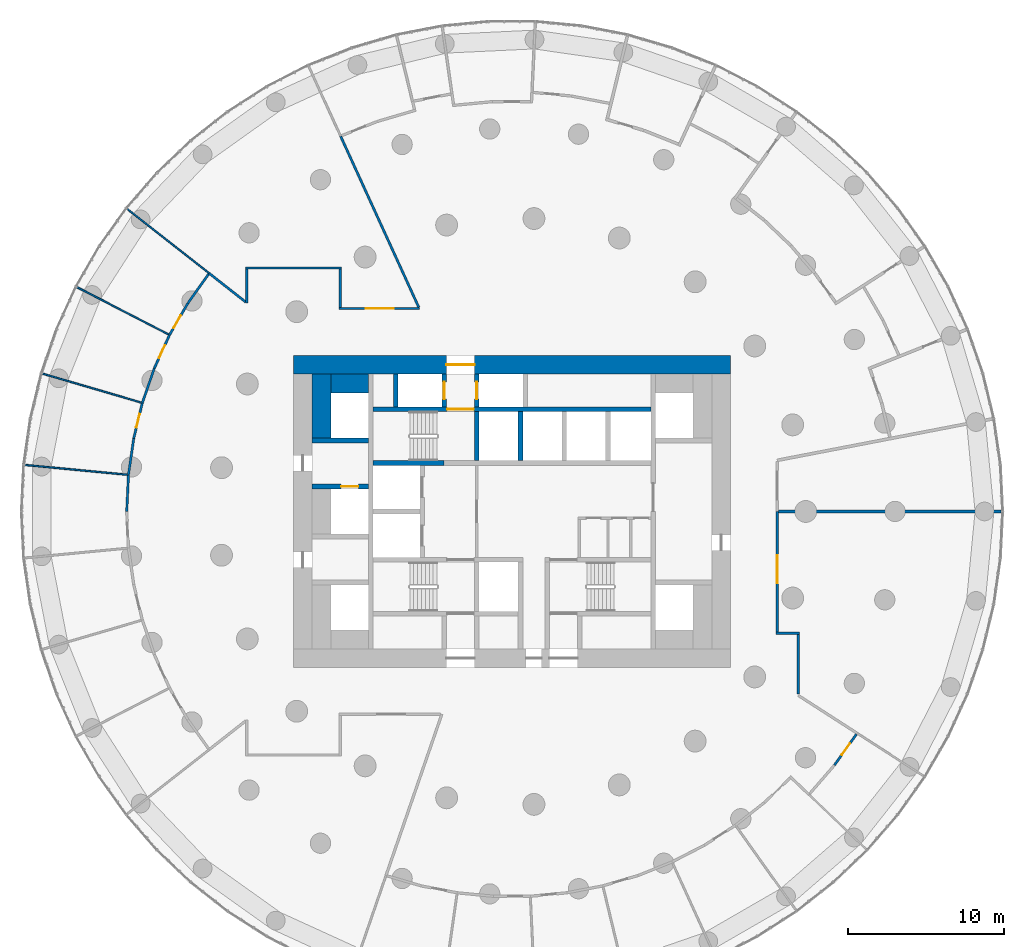
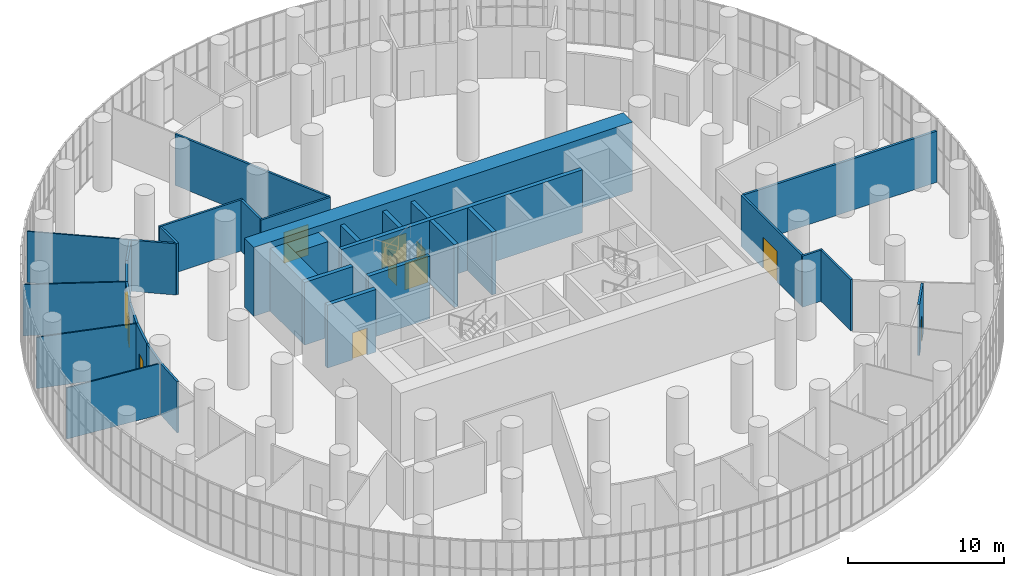
# One storey, part 23 of 27: 34 walls, 11 doors, 11 openings.
"""IFC4 building model written with IfcOpenShell, lengths in metres."""

from ifc_helpers import new_model, si_unit, direction, frame, frame_2d, origin, place, context, subcontext, project, spatial, rectangle, extrude, material, layer, layer_set, type_object, element, fill, save


model = new_model("IFC4")

# Units and contexts
model_context = context("Model", 3, precision=1e-05, world=origin(), true_north=direction((0.0, 1.0)))
body_context = subcontext(model_context, "Body", "Model", "MODEL_VIEW")
ifc_project = project(units=[si_unit("LENGTHUNIT", "METRE"), si_unit("AREAUNIT", "SQUARE_METRE"), si_unit("VOLUMEUNIT", "CUBIC_METRE"), si_unit("PLANEANGLEUNIT", "RADIAN"), si_unit("MASSUNIT", "GRAM", prefix="KILO")], contexts=[model_context])

# Site, building, storey
site_placement = place(None, origin())
site = spatial("IfcSite", under=ifc_project, at=site_placement, CompositionType="ELEMENT")
building_placement = place(site_placement, origin())
building = spatial("IfcBuilding", under=site, at=building_placement, Name="Tracery Tower", CompositionType="ELEMENT")
storey_placement = place(building_placement, frame((0.0, 0.0, 114.60009765625)))
storey = spatial("IfcBuildingStorey", under=building, at=storey_placement, Name="L29", CompositionType="ELEMENT", Elevation=114.60009765625)

# Walls
ifc_material_1 = material(Name="Plasterboard on steel studs", Category="steel")
ifc_layer_1 = layer(ifc_material_1, 0.175048828125)
ifc_layer_set_1 = layer_set([ifc_layer_1], Name="Compartment partition 175")
wall_type_1 = type_object("IfcWallType", Name="Compartment partition 175", PredefinedType="PARTITIONING", material=ifc_layer_set_1)
wall_1_placement = place(storey_placement, frame((31.344482421875, 0.0, 0.0), z_axis=(0.0, 0.0, 1.0), x_axis=(-1.0, 0.0, 0.0)))
element("IfcWall", 1, at=wall_1_placement, inside=storey, type_object=wall_type_1, Name="Compartment partition 175", PredefinedType="PARTITIONING", context=body_context, shape_type="SweptSolid", body=[
    extrude(rectangle(XDim=14.257080078125, YDim=0.175048828125, at=frame_2d((7.12841796875, 0.0))), origin(), (0.0, 0.0, 1.0), 4.0),
])
ifc_material_2 = material(Name="Concrete C60/75", Category="concrete")
ifc_layer_2 = layer(ifc_material_2, 1.199951171875)
ifc_layer_set_2 = layer_set([ifc_layer_2], Name="Core strip wall 1200 C60")
wall_type_2 = type_object("IfcWallType", Name="Core strip wall 1200 C60", PredefinedType="SOLIDWALL", material=ifc_layer_set_2)
wall_2_placement = place(storey_placement, frame((-12.199951171875, 4.699951171875, 0.0), z_axis=(0.0, 0.0, 1.0), x_axis=(0.0, 1.0, 0.0)))
element("IfcWall", 2, at=wall_2_placement, inside=storey, type_object=wall_type_2, Name="L29 wing strip -1 4.55", PredefinedType="SOLIDWALL", context=body_context, shape_type="SweptSolid", body=[
    extrude(rectangle(XDim=4.10009765625, YDim=1.199951171875, at=frame_2d((2.050048828125, 0.0))), origin(), (0.0, 0.0, 1.0), 4.89990234375),
])
wall_3_placement = place(storey_placement, frame((-11.60009765625, 8.199951171875, 0.0), z_axis=(0.0, 0.0, 1.0), x_axis=(1.0, 0.0, 0.0)))
element("IfcWall", 3, at=wall_3_placement, inside=storey, type_object=wall_type_2, Name="L29 wing corner -1 +8.2", PredefinedType="SOLIDWALL", context=body_context, shape_type="SweptSolid", body=[
    extrude(rectangle(XDim=2.400146484375, YDim=1.199951171875, at=frame_2d((1.2001953125, 0.0))), origin(), (0.0, 0.0, 1.0), 4.89990234375),
])

# Wall, opening, door
ifc_material_3 = material(Name="Concrete C60/75", Category="concrete")
ifc_layer_3 = layer(ifc_material_3, 1.199951171875)
ifc_layer_set_3 = layer_set([ifc_layer_3], Name="Core wall 1200 C60")
wall_type_3 = type_object("IfcWallType", Name="Core wall 1200 C60", PredefinedType="SOLIDWALL", material=ifc_layer_set_3)
wall_4_placement = place(storey_placement, frame((-14.0, 9.39990234375, 0.0), z_axis=(0.0, 0.0, 1.0), x_axis=(1.0, 0.0, 0.0)))
wall_4 = element("IfcWall", 4, at=wall_4_placement, inside=storey, type_object=wall_type_3, Name="L29 outer N", PredefinedType="SOLIDWALL", context=body_context, shape_type="SweptSolid", body=[
    extrude(rectangle(XDim=28.0, YDim=1.199951171875, at=frame_2d((14.0, 0.0))), origin(), (0.0, 0.0, 1.0), 5.39990234375),
])
opening_1_placement = place(wall_4_placement, frame((9.800048828125, 0.0, 0.0)))
opening_1 = element("IfcOpeningElement", 5, at=opening_1_placement, cuts=wall_4, Name="Opening KD13", PredefinedType="OPENING", context=body_context, shape_type="SweptSolid", body=[
    extrude(rectangle(XDim=1.800048828125, YDim=2.10009765625, at=frame_2d((0.89990234375, 1.050048828125))), frame((0.0, 0.60009765625, 0.0), z_axis=(0.0, -1.0, 0.0), x_axis=(1.0, 0.0, 0.0)), (0.0, 0.0, 1.0), 1.199951171875),
])
ifc_material_4 = material(Name="Steel fire door", Category="steel")
door_type_1 = type_object("IfcDoorType", Name="Core exit door 1800 double", OperationType="NOTDEFINED", PredefinedType="DOOR", material=ifc_material_4)
door_1_placement = place(opening_1_placement, origin())
door_1 = element("IfcDoor", 6, at=door_1_placement, inside=storey, type_object=door_type_1, Name="Core exit door", OperationType="DOUBLE_DOOR_SINGLE_SWING", OverallHeight=2.10009765625, OverallWidth=1.800048828125, PredefinedType="DOOR", context=body_context, shape_type="SweptSolid", body=[
    extrude(rectangle(XDim=1.800048828125, YDim=2.10009765625, at=frame_2d((0.89990234375, 1.050048828125))), frame((0.0, 0.02490234375, 0.0), z_axis=(0.0, -1.0, 0.0), x_axis=(1.0, 0.0, 0.0)), (0.0, 0.0, 1.0), 0.050048828125),
])
fill(opening_1, door_1)

# Walls
ifc_material_5 = material(Name="Plasterboard on steel studs", Category="steel")
ifc_layer_4 = layer(ifc_material_5, 0.14990234375)
ifc_layer_set_4 = layer_set([ifc_layer_4], Name="Corridor partition 150")
wall_type_4 = type_object("IfcWallType", Name="Corridor partition 150", PredefinedType="PARTITIONING", material=ifc_layer_set_4)
for number, where, z_axis, x_axis, name in (
    (7, (-24.5751953125, 2.3466796875, 0.0), (0.0, 0.0, 1.0), (-0.047594773283, -0.998866726624, 0.0), "Corridor partition 150"),
    (8, (-24.24072265625, 4.672119140625, 0.0), (0.0, 0.0, 1.0), (-0.142366940736, -0.989813949278, 0.0), "Corridor partition 150"),
):
    element("IfcWall", number, at=place(storey_placement, frame(where, z_axis=z_axis, x_axis=x_axis)), inside=storey, type_object=wall_type_4, Name=name, PredefinedType="PARTITIONING", context=body_context, shape_type="SweptSolid", body=[
        extrude(rectangle(XDim=2.349365234375, YDim=0.14990234375, at=frame_2d((1.1748046875, 0.0))), origin(), (0.0, 0.0, 1.0), 4.0),
    ])

# Wall, opening, door
wall_5_placement = place(storey_placement, frame((-24.24072265625, 4.672119140625, 0.0), z_axis=(0.0, 0.0, 1.0), x_axis=(0.235707106262, 0.9718241405, 0.0)))
wall_5 = element("IfcWall", 9, at=wall_5_placement, inside=storey, type_object=wall_type_4, Name="Corridor partition 150", PredefinedType="PARTITIONING", context=body_context, shape_type="SweptSolid", body=[
    extrude(rectangle(XDim=2.34912109375, YDim=0.14990234375, at=frame_2d((1.174560546875, 0.0))), origin(), (0.0, 0.0, 1.0), 4.0),
])
opening_2_placement = place(wall_5_placement, frame((0.724609375, 0.0, 0.0)))
opening_2 = element("IfcOpeningElement", 10, at=opening_2_placement, cuts=wall_5, Name="Opening SB-L29-18", PredefinedType="OPENING", context=body_context, shape_type="SweptSolid", body=[
    extrude(rectangle(XDim=0.89990234375, YDim=2.10009765625, at=frame_2d((0.449951171875, 1.050048828125))), frame((0.0, 0.074951171875, 0.0), z_axis=(0.0, -1.0, 0.0), x_axis=(1.0, 0.0, 0.0)), (0.0, 0.0, 1.0), 0.14990234375),
])
ifc_material_6 = material(Name="Timber door leaf", Category="wood")
door_type_2 = type_object("IfcDoorType", Name="Room door 900", OperationType="NOTDEFINED", PredefinedType="DOOR", material=ifc_material_6)
door_2_placement = place(opening_2_placement, origin())
door_2 = element("IfcDoor", 11, at=door_2_placement, inside=storey, type_object=door_type_2, Name="Room door 900", OperationType="SINGLE_SWING_RIGHT", OverallHeight=2.10009765625, OverallWidth=0.89990234375, PredefinedType="DOOR", context=body_context, shape_type="SweptSolid", body=[
    extrude(rectangle(XDim=0.89990234375, YDim=2.10009765625, at=frame_2d((0.449951171875, 1.050048828125))), frame((0.0, 0.02490234375, 0.0), z_axis=(0.0, -1.0, 0.0), x_axis=(1.0, 0.0, 0.0)), (0.0, 0.0, 1.0), 0.050048828125),
])
fill(opening_2, door_2)

# Wall
wall_6_placement = place(storey_placement, frame((-22.91845703125, 9.17529296875, 0.0), z_axis=(0.0, 0.0, 1.0), x_axis=(-0.327117701878, -0.944983602566, 0.0)))
element("IfcWall", 12, at=wall_6_placement, inside=storey, type_object=wall_type_4, Name="Corridor partition 150", PredefinedType="PARTITIONING", context=body_context, shape_type="SweptSolid", body=[
    extrude(rectangle(XDim=2.349365234375, YDim=0.14990234375, at=frame_2d((1.1748046875, 0.0))), origin(), (0.0, 0.0, 1.0), 4.0),
])

# Wall, opening, door
wall_7_placement = place(storey_placement, frame((-22.91845703125, 9.17529296875, 0.0), z_axis=(0.0, 0.0, 1.0), x_axis=(0.415383956613, 0.909646177691, 0.0)))
wall_7 = element("IfcWall", 13, at=wall_7_placement, inside=storey, type_object=wall_type_4, Name="Corridor partition 150", PredefinedType="PARTITIONING", context=body_context, shape_type="SweptSolid", body=[
    extrude(rectangle(XDim=2.34912109375, YDim=0.14990234375, at=frame_2d((1.174560546875, 0.0))), origin(), (0.0, 0.0, 1.0), 4.0),
])
opening_3_placement = place(wall_7_placement, frame((0.724609375, 0.0, 0.0)))
opening_3 = element("IfcOpeningElement", 14, at=opening_3_placement, cuts=wall_7, Name="Opening SB-L29-17", PredefinedType="OPENING", context=body_context, shape_type="SweptSolid", body=[
    extrude(rectangle(XDim=0.89990234375, YDim=2.10009765625, at=frame_2d((0.449951171875, 1.050048828125))), frame((0.0, 0.074951171875, 0.0), z_axis=(0.0, -1.0, 0.0), x_axis=(1.0, 0.0, 0.0)), (0.0, 0.0, 1.0), 0.14990234375),
])
door_3_placement = place(opening_3_placement, origin())
door_3 = element("IfcDoor", 15, at=door_3_placement, inside=storey, type_object=door_type_2, Name="Room door 900", OperationType="SINGLE_SWING_RIGHT", OverallHeight=2.10009765625, OverallWidth=0.89990234375, PredefinedType="DOOR", context=body_context, shape_type="SweptSolid", body=[
    extrude(rectangle(XDim=0.89990234375, YDim=2.10009765625, at=frame_2d((0.449951171875, 1.050048828125))), frame((0.0, 0.02490234375, 0.0), z_axis=(0.0, -1.0, 0.0), x_axis=(1.0, 0.0, 0.0)), (0.0, 0.0, 1.0), 0.050048828125),
])
fill(opening_3, door_3)

wall_8_placement = place(storey_placement, frame((-21.942626953125, 11.312255859375, 0.0), z_axis=(0.0, 0.0, 1.0), x_axis=(0.500073279432, 0.865983091751, 0.0)))
wall_8 = element("IfcWall", 16, at=wall_8_placement, inside=storey, type_object=wall_type_4, Name="Corridor partition 150", PredefinedType="PARTITIONING", context=body_context, shape_type="SweptSolid", body=[
    extrude(rectangle(XDim=2.349365234375, YDim=0.14990234375, at=frame_2d((1.1748046875, 0.0))), origin(), (0.0, 0.0, 1.0), 4.0),
])
opening_4_placement = place(wall_8_placement, frame((0.524658203125, 0.0, 0.0)))
opening_4 = element("IfcOpeningElement", 17, at=opening_4_placement, cuts=wall_8, Name="Opening SB-L29-16", PredefinedType="OPENING", context=body_context, shape_type="SweptSolid", body=[
    extrude(rectangle(XDim=0.89990234375, YDim=2.10009765625, at=frame_2d((0.449951171875, 1.050048828125))), frame((0.0, 0.074951171875, 0.0), z_axis=(0.0, -1.0, 0.0), x_axis=(1.0, 0.0, 0.0)), (0.0, 0.0, 1.0), 0.14990234375),
])
door_4_placement = place(opening_4_placement, origin())
door_4 = element("IfcDoor", 18, at=door_4_placement, inside=storey, type_object=door_type_2, Name="Room door 900", OperationType="SINGLE_SWING_RIGHT", OverallHeight=2.10009765625, OverallWidth=0.89990234375, PredefinedType="DOOR", context=body_context, shape_type="SweptSolid", body=[
    extrude(rectangle(XDim=0.89990234375, YDim=2.10009765625, at=frame_2d((0.449951171875, 1.050048828125))), frame((0.0, 0.02490234375, 0.0), z_axis=(0.0, -1.0, 0.0), x_axis=(1.0, 0.0, 0.0)), (0.0, 0.0, 1.0), 0.050048828125),
])
fill(opening_4, door_4)

# Walls
wall_9_placement = place(storey_placement, frame((-19.44873046875, 15.19921875, 0.0), z_axis=(0.0, 0.0, 1.0), x_axis=(-0.580029104411, -0.8145957513, 0.0)))
element("IfcWall", 19, at=wall_9_placement, inside=storey, type_object=wall_type_4, Name="Corridor partition 150", PredefinedType="PARTITIONING", context=body_context, shape_type="SweptSolid", body=[
    extrude(rectangle(XDim=2.274169921875, YDim=0.14990234375, at=frame_2d((1.13720703125, 0.0))), origin(), (0.0, 0.0, 1.0), 4.0),
])
wall_10_placement = place(storey_placement, frame((-19.4052734375, 15.260498046875, 0.0), z_axis=(0.0, 0.0, 1.0), x_axis=(0.78606393764, -0.618145198106, 0.0)))
element("IfcWall", 20, at=wall_10_placement, inside=storey, type_object=wall_type_4, Name="Corridor partition 150", PredefinedType="PARTITIONING", context=body_context, shape_type="SweptSolid", body=[
    extrude(rectangle(XDim=2.964599609375, YDim=0.14990234375, at=frame_2d((1.482421875, 0.0))), origin(), (0.0, 0.0, 1.0), 4.0),
])
wall_11_placement = place(storey_placement, frame((-17.0, 15.52734375, 0.0), z_axis=(0.0, 0.0, 1.0), x_axis=(0.0, -1.0, 0.0)))
element("IfcWall", 21, at=wall_11_placement, inside=storey, type_object=wall_type_4, Name="Corridor partition 150", PredefinedType="PARTITIONING", context=body_context, shape_type="SweptSolid", body=[
    extrude(rectangle(XDim=2.158447265625, YDim=0.14990234375, at=frame_2d((1.0791015625, 0.0))), origin(), (0.0, 0.0, 1.0), 4.0),
])
wall_12_placement = place(storey_placement, frame((-10.99755859375, 13.074951171875, 0.0), z_axis=(0.0, 0.0, 1.0), x_axis=(0.0, 1.0, 0.0)))
element("IfcWall", 22, at=wall_12_placement, inside=storey, type_object=wall_type_4, Name="Corridor partition 150", PredefinedType="PARTITIONING", context=body_context, shape_type="SweptSolid", body=[
    extrude(rectangle(XDim=2.452392578125, YDim=0.14990234375, at=frame_2d((1.22607421875, 0.0))), origin(), (0.0, 0.0, 1.0), 4.0),
])
wall_13_placement = place(storey_placement, frame((-10.922607421875, 15.602294921875, 0.0), z_axis=(0.0, 0.0, 1.0), x_axis=(-1.0, 0.0, 0.0)))
element("IfcWall", 23, at=wall_13_placement, inside=storey, type_object=wall_type_4, Name="Corridor partition 150", PredefinedType="PARTITIONING", context=body_context, shape_type="SweptSolid", body=[
    extrude(rectangle(XDim=6.15234375, YDim=0.14990234375, at=frame_2d((3.076171875, 0.0))), origin(), (0.0, 0.0, 1.0), 4.0),
])
wall_14_placement = place(storey_placement, frame((-10.983154296875, 24.049560546875, 0.0), z_axis=(0.0, 0.0, 1.0), x_axis=(0.415416845748, -0.909631158365, 0.0)))
element("IfcWall", 24, at=wall_14_placement, inside=storey, type_object=wall_type_4, Name="Corridor partition 150", PredefinedType="PARTITIONING", context=body_context, shape_type="SweptSolid", body=[
    extrude(rectangle(XDim=12.06494140625, YDim=0.14990234375, at=frame_2d((6.032470703125, 0.0))), origin(), (0.0, 0.0, 1.0), 4.0),
])

# Wall, opening, door
wall_15_placement = place(storey_placement, frame((-11.072509765625, 13.0, 0.0), z_axis=(0.0, 0.0, 1.0), x_axis=(1.0, 0.0, 0.0)))
wall_15 = element("IfcWall", 25, at=wall_15_placement, inside=storey, type_object=wall_type_4, Name="Corridor partition 150", PredefinedType="PARTITIONING", context=body_context, shape_type="SweptSolid", body=[
    extrude(rectangle(XDim=5.135498046875, YDim=0.14990234375, at=frame_2d((2.56787109375, 0.0))), origin(), (0.0, 0.0, 1.0), 4.0),
])
opening_5_placement = place(wall_15_placement, frame((1.705322265625, 0.0, 0.0)))
opening_5 = element("IfcOpeningElement", 26, at=opening_5_placement, cuts=wall_15, Name="Opening SB-L29-15", PredefinedType="OPENING", context=body_context, shape_type="SweptSolid", body=[
    extrude(rectangle(XDim=1.800048828125, YDim=2.39990234375, at=frame_2d((0.89990234375, 1.199951171875))), frame((0.0, 0.074951171875, 0.0), z_axis=(0.0, -1.0, 0.0), x_axis=(1.0, 0.0, 0.0)), (0.0, 0.0, 1.0), 0.14990234375),
])
ifc_material_7 = material(Name="Glazed aluminium door", Category="aluminium")
door_type_3 = type_object("IfcDoorType", Name="Hall double door 1800", OperationType="DOUBLE_DOOR_SINGLE_SWING", PredefinedType="DOOR", material=ifc_material_7)
door_5_placement = place(opening_5_placement, origin())
door_5 = element("IfcDoor", 27, at=door_5_placement, inside=storey, type_object=door_type_3, Name="Hall double door 1800", OperationType="DOUBLE_DOOR_SINGLE_SWING", OverallHeight=2.39990234375, OverallWidth=1.800048828125, PredefinedType="DOOR", context=body_context, shape_type="SweptSolid", body=[
    extrude(rectangle(XDim=1.800048828125, YDim=2.39990234375, at=frame_2d((0.89990234375, 1.199951171875))), frame((0.0, 0.02490234375, 0.0), z_axis=(0.0, -1.0, 0.0), x_axis=(1.0, 0.0, 0.0)), (0.0, 0.0, 1.0), 0.050048828125),
])
fill(opening_5, door_5)

wall_16_placement = place(storey_placement, frame((17.0, 0.0, 0.0), z_axis=(0.0, 0.0, 1.0), x_axis=(0.0, -1.0, 0.0)))
wall_16 = element("IfcWall", 28, at=wall_16_placement, inside=storey, type_object=wall_type_4, Name="Corridor partition 150", PredefinedType="PARTITIONING", context=body_context, shape_type="SweptSolid", body=[
    extrude(rectangle(XDim=7.727783203125, YDim=0.14990234375, at=frame_2d((3.86376953125, 0.0))), origin(), (0.0, 0.0, 1.0), 4.0),
])
opening_6_placement = place(wall_16_placement, frame((2.801513671875, 0.0, 0.0)))
opening_6 = element("IfcOpeningElement", 29, at=opening_6_placement, cuts=wall_16, Name="Opening SB-L29-31", PredefinedType="OPENING", context=body_context, shape_type="SweptSolid", body=[
    extrude(rectangle(XDim=1.800048828125, YDim=2.39990234375, at=frame_2d((0.89990234375, 1.199951171875))), frame((0.0, 0.074951171875, 0.0), z_axis=(0.0, -1.0, 0.0), x_axis=(1.0, 0.0, 0.0)), (0.0, 0.0, 1.0), 0.14990234375),
])
door_6_placement = place(opening_6_placement, origin())
door_6 = element("IfcDoor", 30, at=door_6_placement, inside=storey, type_object=door_type_3, Name="Hall double door 1800", OperationType="DOUBLE_DOOR_SINGLE_SWING", OverallHeight=2.39990234375, OverallWidth=1.800048828125, PredefinedType="DOOR", context=body_context, shape_type="SweptSolid", body=[
    extrude(rectangle(XDim=1.800048828125, YDim=2.39990234375, at=frame_2d((0.89990234375, 1.199951171875))), frame((0.0, 0.02490234375, 0.0), z_axis=(0.0, -1.0, 0.0), x_axis=(1.0, 0.0, 0.0)), (0.0, 0.0, 1.0), 0.050048828125),
])
fill(opening_6, door_6)

# Walls
wall_17_placement = place(storey_placement, frame((18.3515625, -11.70458984375, 0.0), z_axis=(0.0, 0.0, 1.0), x_axis=(0.0, 1.0, 0.0)))
element("IfcWall", 31, at=wall_17_placement, inside=storey, type_object=wall_type_4, Name="Corridor partition 150", PredefinedType="PARTITIONING", context=body_context, shape_type="SweptSolid", body=[
    extrude(rectangle(XDim=3.82666015625, YDim=0.14990234375, at=frame_2d((1.913330078125, 0.0))), origin(), (0.0, 0.0, 1.0), 4.0),
])
wall_18_placement = place(storey_placement, frame((18.426513671875, -7.802978515625, 0.0), z_axis=(0.0, 0.0, 1.0), x_axis=(-1.0, 0.0, 0.0)))
element("IfcWall", 32, at=wall_18_placement, inside=storey, type_object=wall_type_4, Name="Corridor partition 150", PredefinedType="PARTITIONING", context=body_context, shape_type="SweptSolid", body=[
    extrude(rectangle(XDim=1.50146484375, YDim=0.14990234375, at=frame_2d((0.750732421875, 0.0))), origin(), (0.0, 0.0, 1.0), 4.0),
])

# Wall, opening, door
wall_19_placement = place(storey_placement, frame((22.07177734375, -14.27392578125, 0.0), z_axis=(0.0, 0.0, 1.0), x_axis=(-0.580047863214, -0.814582393856, 0.0)))
wall_19 = element("IfcWall", 33, at=wall_19_placement, inside=storey, type_object=wall_type_4, Name="Corridor partition 150", PredefinedType="PARTITIONING", context=body_context, shape_type="SweptSolid", body=[
    extrude(rectangle(XDim=2.426513671875, YDim=0.14990234375, at=frame_2d((1.21337890625, 0.0))), origin(), (0.0, 0.0, 1.0), 4.0),
])
opening_7_placement = place(wall_19_placement, frame((0.7255859375, 0.0, 0.0)))
opening_7 = element("IfcOpeningElement", 34, at=opening_7_placement, cuts=wall_19, Name="Opening SB-L29-30", PredefinedType="OPENING", context=body_context, shape_type="SweptSolid", body=[
    extrude(rectangle(XDim=0.89990234375, YDim=2.10009765625, at=frame_2d((0.449951171875, 1.050048828125))), frame((0.0, 0.074951171875, 0.0), z_axis=(0.0, -1.0, 0.0), x_axis=(1.0, 0.0, 0.0)), (0.0, 0.0, 1.0), 0.14990234375),
])
ifc_material_8 = material(Name="Steel fire door", Category="steel")
door_type_4 = type_object("IfcDoorType", Name="Store door 900", OperationType="NOTDEFINED", PredefinedType="DOOR", material=ifc_material_8)
door_7_placement = place(opening_7_placement, origin())
door_7 = element("IfcDoor", 35, at=door_7_placement, inside=storey, type_object=door_type_4, Name="Store door 900", OperationType="SINGLE_SWING_RIGHT", OverallHeight=2.10009765625, OverallWidth=0.89990234375, PredefinedType="DOOR", context=body_context, shape_type="SweptSolid", body=[
    extrude(rectangle(XDim=0.89990234375, YDim=2.10009765625, at=frame_2d((0.449951171875, 1.050048828125))), frame((0.0, 0.02490234375, 0.0), z_axis=(0.0, -1.0, 0.0), x_axis=(1.0, 0.0, 0.0)), (0.0, 0.0, 1.0), 0.050048828125),
])
fill(opening_7, door_7)

# Walls
ifc_material_9 = material(Name="Concrete C60/75", Category="concrete")
ifc_layer_5 = layer(ifc_material_9, 0.300048828125)
ifc_layer_set_5 = layer_set([ifc_layer_5], Name="Shaft wall 300 C60")
wall_type_5 = type_object("IfcWallType", Name="Shaft wall 300 C60", PredefinedType="SOLIDWALL", material=ifc_layer_set_5)
wall_20_placement = place(storey_placement, frame((0.550048828125, 3.25, 0.0), z_axis=(0.0, 0.0, 1.0), x_axis=(0.0, 1.0, 0.0)))
element("IfcWall", 36, at=wall_20_placement, inside=storey, type_object=wall_type_5, Name="L29 HR sep 1", PredefinedType="SOLIDWALL", context=body_context, shape_type="SweptSolid", body=[
    extrude(rectangle(XDim=3.14990234375, YDim=0.300048828125, at=frame_2d((1.574951171875, 0.0))), origin(), (0.0, 0.0, 1.0), 4.89990234375),
])
wall_21_placement = place(storey_placement, frame((-7.449951171875, 6.699951171875, 0.0), z_axis=(0.0, 0.0, 1.0), x_axis=(0.0, 1.0, 0.0)))
element("IfcWall", 37, at=wall_21_placement, inside=storey, type_object=wall_type_5, Name="L29 LR sep -7.45", PredefinedType="SOLIDWALL", context=body_context, shape_type="SweptSolid", body=[
    extrude(rectangle(XDim=2.10009765625, YDim=0.300048828125, at=frame_2d((1.050048828125, 0.0))), origin(), (0.0, 0.0, 1.0), 4.89990234375),
])

# Wall, opening, door
wall_22_placement = place(storey_placement, frame((-4.35009765625, 6.699951171875, 0.0), z_axis=(0.0, 0.0, 1.0), x_axis=(0.0, 1.0, 0.0)))
wall_22 = element("IfcWall", 38, at=wall_22_placement, inside=storey, type_object=wall_type_5, Name="L29 LR sep -4.35", PredefinedType="SOLIDWALL", context=body_context, shape_type="SweptSolid", body=[
    extrude(rectangle(XDim=2.10009765625, YDim=0.300048828125, at=frame_2d((1.050048828125, 0.0))), origin(), (0.0, 0.0, 1.0), 4.89990234375),
])
opening_8_placement = place(wall_22_placement, frame((0.5, 0.0, 0.0)))
opening_8 = element("IfcOpeningElement", 39, at=opening_8_placement, cuts=wall_22, Name="Opening KD50", PredefinedType="OPENING", context=body_context, shape_type="SweptSolid", body=[
    extrude(rectangle(XDim=1.10009765625, YDim=2.10009765625, at=frame_2d((0.550048828125, 1.050048828125))), frame((0.0, 0.14990234375, 0.0), z_axis=(0.0, -1.0, 0.0), x_axis=(1.0, 0.0, 0.0)), (0.0, 0.0, 1.0), 0.300048828125),
])
ifc_material_10 = material(Name="Steel fire door", Category="steel")
door_type_5 = type_object("IfcDoorType", Name="Landing door 1100", OperationType="NOTDEFINED", PredefinedType="DOOR", material=ifc_material_10)
door_8_placement = place(opening_8_placement, origin())
door_8 = element("IfcDoor", 40, at=door_8_placement, inside=storey, type_object=door_type_5, Name="Landing door LR3", OperationType="SLIDING_TO_RIGHT", OverallHeight=2.10009765625, OverallWidth=1.10009765625, PredefinedType="DOOR", context=body_context, shape_type="SweptSolid", body=[
    extrude(rectangle(XDim=1.10009765625, YDim=2.10009765625, at=frame_2d((0.550048828125, 1.050048828125))), frame((0.0, 0.02490234375, 0.0), z_axis=(0.0, -1.0, 0.0), x_axis=(1.0, 0.0, 0.0)), (0.0, 0.0, 1.0), 0.050048828125),
])
fill(opening_8, door_8)

# Wall
wall_23_placement = place(storey_placement, frame((-12.800048828125, 4.550048828125, 0.0), z_axis=(0.0, 0.0, 1.0), x_axis=(1.0, 0.0, 0.0)))
element("IfcWall", 41, at=wall_23_placement, inside=storey, type_object=wall_type_5, Name="L29 wing shaft wall -1 +4.55", PredefinedType="SOLIDWALL", context=body_context, shape_type="SweptSolid", body=[
    extrude(rectangle(XDim=3.60009765625, YDim=0.300048828125, at=frame_2d((1.800048828125, 0.0))), origin(), (0.0, 0.0, 1.0), 4.89990234375),
])

# Wall, opening, door
wall_24_placement = place(storey_placement, frame((-12.800048828125, 1.60009765625, 0.0), z_axis=(0.0, 0.0, 1.0), x_axis=(1.0, 0.0, 0.0)))
wall_24 = element("IfcWall", 42, at=wall_24_placement, inside=storey, type_object=wall_type_5, Name="L29 wing shaft wall -1 +1.60", PredefinedType="SOLIDWALL", context=body_context, shape_type="SweptSolid", body=[
    extrude(rectangle(XDim=3.60009765625, YDim=0.300048828125, at=frame_2d((1.800048828125, 0.0))), origin(), (0.0, 0.0, 1.0), 4.89990234375),
])
opening_9_placement = place(wall_24_placement, frame((1.85009765625, 0.0, 0.0)))
opening_9 = element("IfcOpeningElement", 43, at=opening_9_placement, cuts=wall_24, Name="Opening KD50", PredefinedType="OPENING", context=body_context, shape_type="SweptSolid", body=[
    extrude(rectangle(XDim=1.10009765625, YDim=2.10009765625, at=frame_2d((0.550048828125, 1.050048828125))), frame((0.0, 0.14990234375, 0.0), z_axis=(0.0, -1.0, 0.0), x_axis=(1.0, 0.0, 0.0)), (0.0, 0.0, 1.0), 0.300048828125),
])
door_9_placement = place(opening_9_placement, origin())
door_9 = element("IfcDoor", 44, at=door_9_placement, inside=storey, type_object=door_type_5, Name="Landing door LR1", OperationType="SLIDING_TO_RIGHT", OverallHeight=2.10009765625, OverallWidth=1.10009765625, PredefinedType="DOOR", context=body_context, shape_type="SweptSolid", body=[
    extrude(rectangle(XDim=1.10009765625, YDim=2.10009765625, at=frame_2d((0.550048828125, 1.050048828125))), frame((0.0, 0.02490234375, 0.0), z_axis=(0.0, -1.0, 0.0), x_axis=(1.0, 0.0, 0.0)), (0.0, 0.0, 1.0), 0.050048828125),
])
fill(opening_9, door_9)

# Walls
ifc_material_11 = material(Name="Concrete C60/75", Category="concrete")
ifc_layer_6 = layer(ifc_material_11, 0.300048828125)
ifc_layer_set_6 = layer_set([ifc_layer_6], Name="Stair wall 300 C60")
wall_type_6 = type_object("IfcWallType", Name="Stair wall 300 C60", PredefinedType="SOLIDWALL", material=ifc_layer_set_6)
wall_25_placement = place(storey_placement, frame((-8.89990234375, 3.10009765625, 0.0), z_axis=(0.0, 0.0, 1.0), x_axis=(1.0, 0.0, 0.0)))
element("IfcWall", 45, at=wall_25_placement, inside=storey, type_object=wall_type_6, Name="L29 row N W", PredefinedType="SOLIDWALL", context=body_context, shape_type="SweptSolid", body=[
    extrude(rectangle(XDim=4.5498046875, YDim=0.300048828125, at=frame_2d((2.27490234375, 0.0))), origin(), (0.0, 0.0, 1.0), 4.89990234375),
])
wall_26_placement = place(storey_placement, frame((-2.25, 3.25, 0.0), z_axis=(0.0, 0.0, 1.0), x_axis=(0.0, 1.0, 0.0)))
element("IfcWall", 46, at=wall_26_placement, inside=storey, type_object=wall_type_6, Name="L29 ST3 E", PredefinedType="SOLIDWALL", context=body_context, shape_type="SweptSolid", body=[
    extrude(rectangle(XDim=3.14990234375, YDim=0.300048828125, at=frame_2d((1.574951171875, 0.0))), origin(), (0.0, 0.0, 1.0), 4.89990234375),
])

# Wall, opening, door
wall_27_placement = place(storey_placement, frame((-8.89990234375, 6.550048828125, 0.0), z_axis=(0.0, 0.0, 1.0), x_axis=(1.0, 0.0, 0.0)))
wall_27 = element("IfcWall", 47, at=wall_27_placement, inside=storey, type_object=wall_type_6, Name="L29 F N", PredefinedType="SOLIDWALL", context=body_context, shape_type="SweptSolid", body=[
    extrude(rectangle(XDim=17.7998046875, YDim=0.300048828125, at=frame_2d((8.89990234375, 0.0))), origin(), (0.0, 0.0, 1.0), 4.89990234375),
])
opening_10_placement = place(wall_27_placement, frame((4.75, 0.0, 0.0)))
opening_10 = element("IfcOpeningElement", 48, at=opening_10_placement, cuts=wall_27, Name="Opening KD3", PredefinedType="OPENING", context=body_context, shape_type="SweptSolid", body=[
    extrude(rectangle(XDim=1.699951171875, YDim=2.10009765625, at=frame_2d((0.85009765625, 1.050048828125))), frame((0.0, 0.14990234375, 0.0), z_axis=(0.0, -1.0, 0.0), x_axis=(1.0, 0.0, 0.0)), (0.0, 0.0, 1.0), 0.300048828125),
])
ifc_material_12 = material(Name="Steel fire door", Category="steel")
door_type_6 = type_object("IfcDoorType", Name="Core stair door 1700 double", OperationType="NOTDEFINED", PredefinedType="DOOR", material=ifc_material_12)
door_10_placement = place(opening_10_placement, origin())
door_10 = element("IfcDoor", 49, at=door_10_placement, inside=storey, type_object=door_type_6, Name="Stair door ST3 N", OperationType="DOUBLE_DOOR_SINGLE_SWING", OverallHeight=2.10009765625, OverallWidth=1.699951171875, PredefinedType="DOOR", context=body_context, shape_type="SweptSolid", body=[
    extrude(rectangle(XDim=1.699951171875, YDim=2.10009765625, at=frame_2d((0.85009765625, 1.050048828125))), frame((0.0, 0.02490234375, 0.0), z_axis=(0.0, -1.0, 0.0), x_axis=(1.0, 0.0, 0.0)), (0.0, 0.0, 1.0), 0.050048828125),
])
fill(opening_10, door_10)

wall_28_placement = place(storey_placement, frame((-2.25, 6.699951171875, 0.0), z_axis=(0.0, 0.0, 1.0), x_axis=(0.0, 1.0, 0.0)))
wall_28 = element("IfcWall", 50, at=wall_28_placement, inside=storey, type_object=wall_type_6, Name="L29 ST3 E out", PredefinedType="SOLIDWALL", context=body_context, shape_type="SweptSolid", body=[
    extrude(rectangle(XDim=2.10009765625, YDim=0.300048828125, at=frame_2d((1.050048828125, 0.0))), origin(), (0.0, 0.0, 1.0), 4.89990234375),
])
opening_11_placement = place(wall_28_placement, frame((0.5, 0.0, 0.0)))
opening_11 = element("IfcOpeningElement", 51, at=opening_11_placement, cuts=wall_28, Name="Opening KD49", PredefinedType="OPENING", context=body_context, shape_type="SweptSolid", body=[
    extrude(rectangle(XDim=1.10009765625, YDim=2.10009765625, at=frame_2d((0.550048828125, 1.050048828125))), frame((0.0, 0.14990234375, 0.0), z_axis=(0.0, -1.0, 0.0), x_axis=(1.0, 0.0, 0.0)), (0.0, 0.0, 1.0), 0.300048828125),
])
door_11_placement = place(opening_11_placement, origin())
door_11 = element("IfcDoor", 52, at=door_11_placement, inside=storey, type_object=door_type_5, Name="Landing door LR2", OperationType="SLIDING_TO_LEFT", OverallHeight=2.10009765625, OverallWidth=1.10009765625, PredefinedType="DOOR", context=body_context, shape_type="SweptSolid", body=[
    extrude(rectangle(XDim=1.10009765625, YDim=2.10009765625, at=frame_2d((0.550048828125, 1.050048828125))), frame((0.0, 0.02490234375, 0.0), z_axis=(0.0, -1.0, 0.0), x_axis=(1.0, 0.0, 0.0)), (0.0, 0.0, 1.0), 0.050048828125),
])
fill(opening_11, door_11)

# Walls
ifc_material_13 = material(Name="Plasterboard on steel studs", Category="steel")
ifc_layer_7 = layer(ifc_material_13, 0.10009765625)
ifc_layer_set_7 = layer_set([ifc_layer_7], Name="Stud partition 100")
wall_type_7 = type_object("IfcWallType", Name="Stud partition 100", PredefinedType="PARTITIONING", material=ifc_layer_set_7)
wall_29_placement = place(storey_placement, frame((-31.202392578125, 2.9794921875, 0.0), z_axis=(0.0, 0.0, 1.0), x_axis=(0.99547126892, -0.095062888418, 0.0)))
element("IfcWall", 53, at=wall_29_placement, inside=storey, type_object=wall_type_7, Name="Stud partition 100", PredefinedType="PARTITIONING", context=body_context, shape_type="SweptSolid", body=[
    extrude(rectangle(XDim=6.582275390625, YDim=0.10009765625, at=frame_2d((3.291015625, 0.0))), origin(), (0.0, 0.0, 1.0), 4.0),
])
for number, where, z_axis, x_axis, name in (
    (54, (-30.07470703125, 8.830810546875, 0.0), (0.0, 0.0, 1.0), (0.959494150373, -0.281728549139, 0.0), "Stud partition 100"),
    (55, (-27.860107421875, 14.36279296875, 0.0), (0.0, 0.0, 1.0), (0.88884777779, -0.458202605751, 0.0), "Stud partition 100"),
):
    element("IfcWall", number, at=place(storey_placement, frame(where, z_axis=z_axis, x_axis=x_axis)), inside=storey, type_object=wall_type_7, Name=name, PredefinedType="PARTITIONING", context=body_context, shape_type="SweptSolid", body=[
        extrude(rectangle(XDim=6.58251953125, YDim=0.10009765625, at=frame_2d((3.291259765625, 0.0))), origin(), (0.0, 0.0, 1.0), 4.0),
    ])
wall_30_placement = place(storey_placement, frame((-24.638427734375, 19.375732421875, 0.0), z_axis=(0.0, 0.0, 1.0), x_axis=(0.786065039075, -0.618143797464, 0.0)))
element("IfcWall", 56, at=wall_30_placement, inside=storey, type_object=wall_type_7, Name="Stud partition 100", PredefinedType="PARTITIONING", context=body_context, shape_type="SweptSolid", body=[
    extrude(rectangle(XDim=6.657470703125, YDim=0.10009765625, at=frame_2d((3.32861328125, 0.0))), origin(), (0.0, 0.0, 1.0), 4.0),
])

save(model, "model.ifc")
